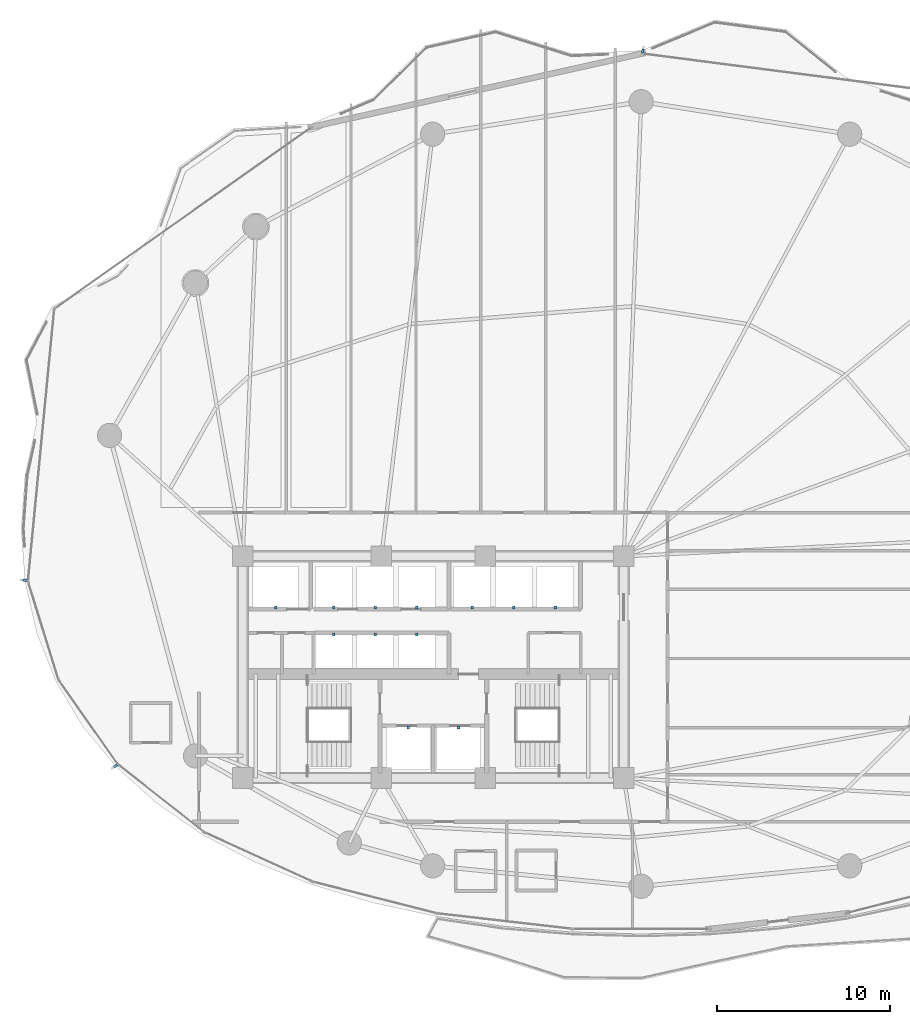
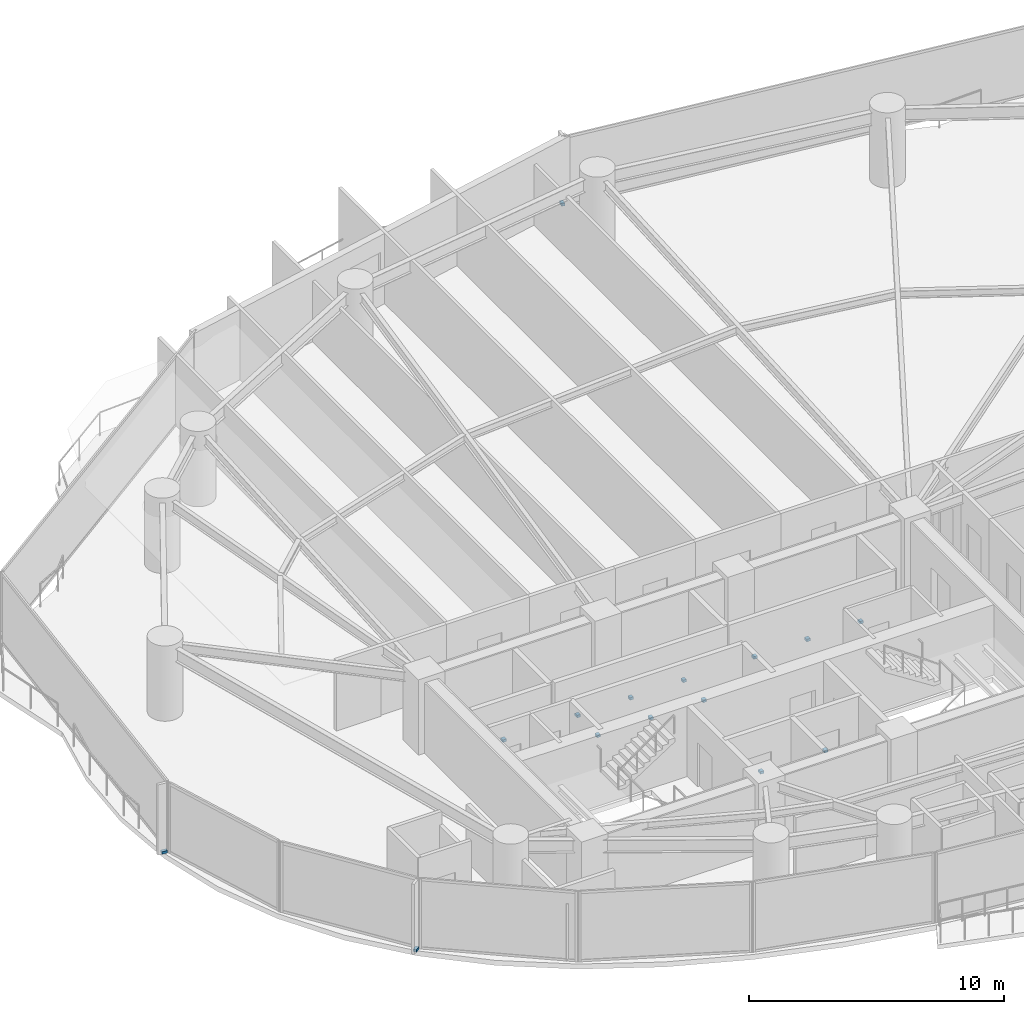
# One storey, part 28 of 32: 15 discrete accessories.
"""IFC4 building model written with IfcOpenShell, lengths in metres."""

from ifc_helpers import new_model, si_unit, direction, frame, origin, origin_2d, place, context, subcontext, project, spatial, rectangle, extrude, material, type_object, element, save


model = new_model("IFC4")

# Units and contexts
model_context = context("Model", 3, precision=1e-05, world=origin(), true_north=direction((0.0, 1.0)))
body_context = subcontext(model_context, "Body", "Model", "MODEL_VIEW")
ifc_project = project(units=[si_unit("LENGTHUNIT", "METRE"), si_unit("AREAUNIT", "SQUARE_METRE"), si_unit("VOLUMEUNIT", "CUBIC_METRE"), si_unit("PLANEANGLEUNIT", "RADIAN"), si_unit("MASSUNIT", "GRAM", prefix="KILO")], contexts=[model_context])

# Site, building, storey
site_placement = place(None, origin())
site = spatial("IfcSite", under=ifc_project, at=site_placement, CompositionType="ELEMENT")
building_placement = place(site_placement, origin())
building = spatial("IfcBuilding", under=site, at=building_placement, Name="Kazevale Care Tower and Concert Hall", CompositionType="ELEMENT")
storey_placement = place(building_placement, frame((0.0, 0.0, 38.39990234375)))
storey = spatial("IfcBuildingStorey", under=building, at=storey_placement, Name="L09", CompositionType="ELEMENT", Elevation=38.39990234375)

# Discrete accessories
ifc_material = material(Name="Stainless Steel 316", Category="steel")
discrete_accessory_type_1 = type_object("IfcDiscreteAccessoryType", Name="Facade Fin Stainless Anchor Bracket BRK-1", PredefinedType="BRACKET", material=ifc_material)
for number, where, z_axis, x_axis, name in (
    (1, (14.656005859375, 24.298828125, 0.0), (0.0, 0.0, 1.0), (-0.817547124842, -0.575861700985, 0.0), "cw:L09:f11:brk"),
    (2, (9.438720703125, 35.01416015625, 0.0), (0.0, 0.0, 1.0), (-0.995379454967, 0.09601948047, 0.0), "cw:L09:f13:brk"),
    (3, (45.096923828125, 65.57080078125, 0.0), (0.0, 0.0, 1.0), (0.128103248172, 0.991760837, 0.0), "cw:L09:f16:brk"),
):
    element("IfcDiscreteAccessory", number, at=place(storey_placement, frame(where, z_axis=z_axis, x_axis=x_axis)), inside=storey, type_object=discrete_accessory_type_1, Name=name, PredefinedType="BRACKET", context=body_context, shape_type="SweptSolid", body=[
        extrude(rectangle(XDim=0.239990234375, YDim=0.139892578125, at=origin_2d()), origin(), (0.0, 0.0, 1.0), 0.1201171875),
    ])
discrete_accessory_type_2 = type_object("IfcDiscreteAccessoryType", Name="Hoistway Guide-Rail Wall Bracket HBRK-1", PredefinedType="BRACKET", material=ifc_material)
for number, where, z_axis, x_axis, name in (
    (4, (31.550048828125, 26.52001953125, 1.239990234375), (0.0, 0.0, 1.0), (1.0, 0.0, 0.0), "hbrk:FFL-1:L09"),
    (5, (34.449951171875, 26.52001953125, 1.239990234375), (0.0, 0.0, 1.0), (1.0, 0.0, 0.0), "hbrk:FFL-2:L09"),
    (6, (23.89990234375, 33.449951171875, 1.239990234375), (0.0, 0.0, 1.0), (1.0, 0.0, 0.0), "hbrk:SVL-1:L09"),
    (7, (27.25, 33.449951171875, 1.239990234375), (0.0, 0.0, 1.0), (1.0, 0.0, 0.0), "hbrk:PL-1:L09"),
    (8, (29.64990234375, 33.449951171875, 1.239990234375), (0.0, 0.0, 1.0), (1.0, 0.0, 0.0), "hbrk:PL-2:L09"),
    (9, (32.050048828125, 33.449951171875, 1.239990234375), (0.0, 0.0, 1.0), (1.0, 0.0, 0.0), "hbrk:PL-3:L09"),
    (10, (35.25, 33.449951171875, 1.239990234375), (0.0, 0.0, 1.0), (1.0, 0.0, 0.0), "hbrk:PM-1:L09"),
    (11, (37.64990234375, 33.449951171875, 1.239990234375), (0.0, 0.0, 1.0), (1.0, 0.0, 0.0), "hbrk:PM-2:L09"),
    (12, (40.050048828125, 33.449951171875, 1.239990234375), (0.0, 0.0, 1.0), (1.0, 0.0, 0.0), "hbrk:PM-3:L09"),
    (13, (27.25, 31.8798828125, 1.239990234375), (0.0, 0.0, 1.0), (1.0, 0.0, 0.0), "hbrk:PH-1:L09"),
    (14, (29.64990234375, 31.8798828125, 1.239990234375), (0.0, 0.0, 1.0), (1.0, 0.0, 0.0), "hbrk:PH-2:L09"),
    (15, (32.050048828125, 31.8798828125, 1.239990234375), (0.0, 0.0, 1.0), (1.0, 0.0, 0.0), "hbrk:PH-3:L09"),
):
    element("IfcDiscreteAccessory", number, at=place(storey_placement, frame(where, z_axis=z_axis, x_axis=x_axis)), inside=storey, type_object=discrete_accessory_type_2, Name=name, PredefinedType="BRACKET", context=body_context, shape_type="SweptSolid", body=[
        extrude(rectangle(XDim=0.159912109375, YDim=0.179931640625, at=origin_2d()), origin(), (0.0, 0.0, 1.0), 0.1201171875),
    ])

save(model, "model.ifc")
